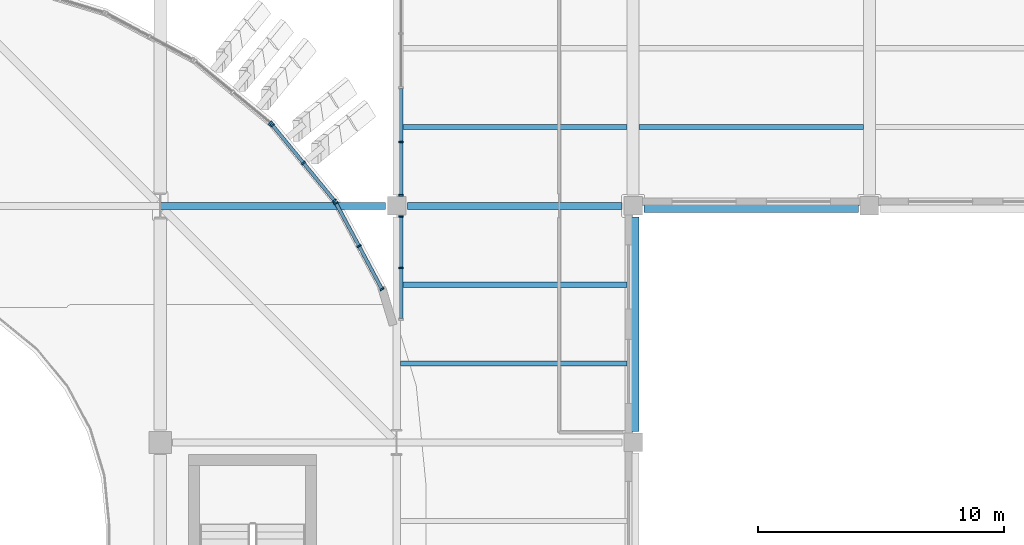
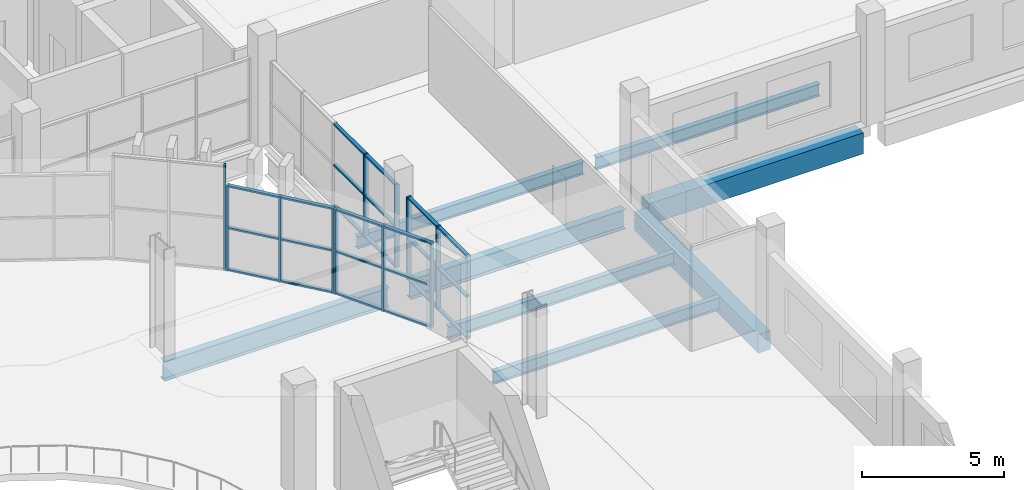
# One storey, part 36 of 100: 35 members, 8 beams, 5 elements without a shape of their own.
"""IFC4 building model written with IfcOpenShell, lengths in metres."""

from ifc_helpers import new_model, si_unit, direction, frame, origin, origin_2d, place, context, subcontext, project, spatial, rectangle, i_section, extrude, material, layer, layer_set, material_profile, profile_set, type_object, element, aggregate, save


model = new_model("IFC4")

# Units and contexts
model_context = context("Model", 3, precision=1e-05, world=origin(), true_north=direction((0.0, 1.0)))
body_context = subcontext(model_context, "Body", "Model", "MODEL_VIEW")
ifc_project = project(units=[si_unit("LENGTHUNIT", "METRE"), si_unit("AREAUNIT", "SQUARE_METRE"), si_unit("VOLUMEUNIT", "CUBIC_METRE"), si_unit("PLANEANGLEUNIT", "RADIAN"), si_unit("MASSUNIT", "GRAM", prefix="KILO")], contexts=[model_context])

# Site, building, storey
site_placement = place(None, origin())
site = spatial("IfcSite", under=ifc_project, at=site_placement, CompositionType="ELEMENT")
building_placement = place(site_placement, origin())
building = spatial("IfcBuilding", under=site, at=building_placement, Name="Caelomonte Colonnade Arena", CompositionType="ELEMENT")
storey_placement = place(building_placement, origin())
storey = spatial("IfcBuildingStorey", under=building, at=storey_placement, Name="L00", CompositionType="ELEMENT", Elevation=0.0)

# Curtain wall, members
ifc_material_1 = material(Name="Bronze anodised aluminium and low-E glazing", Category="aluminium")
ifc_layer_1 = layer(ifc_material_1, 0.179931640625)
ifc_layer_set_1 = layer_set([ifc_layer_1], Name="Bronze anodised aluminium and low-E glazing")
curtain_wall_type_1 = type_object("IfcCurtainWallType", Name="ENV-CW-CW-L00-89-36", PredefinedType="USERDEFINED", material=ifc_layer_set_1)
curtain_wall_1_placement = place(storey_placement, origin())
curtain_wall_1 = element("IfcCurtainWall", 1, at=curtain_wall_1_placement, inside=storey, type_object=curtain_wall_type_1, Name="L00 unitized curtain wall CW-L00-1634-1104", ObjectType="UNITIZED CURTAIN WALL", PredefinedType="USERDEFINED")
ifc_material_2 = material(Name="Bronze anodised aluminium AA6063-T6", Category="aluminium")
ifc_material_profile_1 = material_profile(ifc_material_2, rectangle(XDim=0.070068359375, YDim=0.179931640625, at=origin_2d()), Name="CWM-70X180")
ifc_profile_set_1 = profile_set([ifc_material_profile_1], Name="Bronze anodised aluminium AA6063-T6")
member_type_1 = type_object("IfcMemberType", Name="ENV-CW-MULL1", PredefinedType="MULLION", material=ifc_profile_set_1)
member_1_placement = place(storey_placement, frame((163.3798828125, 108.197509765625, 0.0), z_axis=(0.0, 0.0, 1.0), x_axis=(0.0, -1.0, 0.0)))
member_1 = element("IfcMember", 2, at=member_1_placement, type_object=member_type_1, Name="CW-L00-89-36 mullion 4", PredefinedType="MULLION", context=body_context, shape_type="SweptSolid", body=[
    extrude(rectangle(XDim=0.070068359375, YDim=0.179931640625, at=origin_2d()), origin(), (0.0, 0.0, 1.0), 3.572998046875),
])
member_2_placement = place(storey_placement, frame((163.3798828125, 106.030029296875, 0.0), z_axis=(0.0, 0.0, 1.0), x_axis=(0.0, -1.0, 0.0)))
member_2 = element("IfcMember", 3, at=member_2_placement, type_object=member_type_1, Name="CW-L00-89-36 mullion 5", PredefinedType="MULLION", context=body_context, shape_type="SweptSolid", body=[
    extrude(rectangle(XDim=0.070068359375, YDim=0.179931640625, at=origin_2d()), origin(), (0.0, 0.0, 1.0), 3.572998046875),
])

ifc_layer_2 = layer(ifc_material_1, 0.179931640625)
ifc_layer_set_2 = layer_set([ifc_layer_2], Name="Bronze anodised aluminium and low-E glazing")
curtain_wall_type_2 = type_object("IfcCurtainWallType", Name="ENV-CW-CW-L00-44-36", PredefinedType="USERDEFINED", material=ifc_layer_set_2)
curtain_wall_2_placement = place(storey_placement, origin())
curtain_wall_2 = element("IfcCurtainWall", 4, at=curtain_wall_2_placement, inside=storey, type_object=curtain_wall_type_2, Name="L00 unitized curtain wall CW-L00-1634-1030", ObjectType="UNITIZED CURTAIN WALL", PredefinedType="USERDEFINED")
member_3_placement = place(storey_placement, frame((163.3798828125, 105.169921875, 0.0), z_axis=(0.0, 0.0, 1.0), x_axis=(0.0, -1.0, 0.0)))
member_3 = element("IfcMember", 5, at=member_3_placement, type_object=member_type_1, Name="CW-L00-44-36 mullion 1", PredefinedType="MULLION", context=body_context, shape_type="SweptSolid", body=[
    extrude(rectangle(XDim=0.070068359375, YDim=0.179931640625, at=origin_2d()), origin(), (0.0, 0.0, 1.0), 3.572998046875),
])
member_4_placement = place(storey_placement, frame((163.3798828125, 103.084716796875, 0.0), z_axis=(0.0, 0.0, 1.0), x_axis=(0.0, -1.0, 0.0)))
member_4 = element("IfcMember", 6, at=member_4_placement, type_object=member_type_1, Name="CW-L00-44-36 mullion 2", PredefinedType="MULLION", context=body_context, shape_type="SweptSolid", body=[
    extrude(rectangle(XDim=0.070068359375, YDim=0.179931640625, at=origin_2d()), origin(), (0.0, 0.0, 1.0), 3.572998046875),
])

ifc_layer_3 = layer(ifc_material_1, 0.179931640625)
ifc_layer_set_3 = layer_set([ifc_layer_3], Name="Bronze anodised aluminium and low-E glazing")
curtain_wall_type_3 = type_object("IfcCurtainWallType", Name="ENV-CW-CW-L00-44-37", PredefinedType="USERDEFINED", material=ifc_layer_set_3)
curtain_wall_3_placement = place(storey_placement, origin())
curtain_wall_3 = element("IfcCurtainWall", 7, at=curtain_wall_3_placement, inside=storey, type_object=curtain_wall_type_3, Name="L00 unitized curtain wall CW-L00-1617-1040", ObjectType="UNITIZED CURTAIN WALL", PredefinedType="USERDEFINED")
member_5_placement = place(storey_placement, frame((162.607421875, 102.2177734375, 0.0), z_axis=(0.0, 0.0, 1.0), x_axis=(-0.471394212466, 0.881922613642, 0.0)))
member_5 = element("IfcMember", 8, at=member_5_placement, type_object=member_type_1, Name="CW-L00-44-37 mullion 1", PredefinedType="MULLION", context=body_context, shape_type="SweptSolid", body=[
    extrude(rectangle(XDim=0.070068359375, YDim=0.179931640625, at=origin_2d()), origin(), (0.0, 0.0, 1.0), 3.664306640625),
])
member_6_placement = place(storey_placement, frame((161.67236328125, 103.966796875, 0.0), z_axis=(0.0, 0.0, 1.0), x_axis=(-0.471394212466, 0.881922613642, 0.0)))
member_6 = element("IfcMember", 9, at=member_6_placement, type_object=member_type_1, Name="CW-L00-44-37 mullion 2", PredefinedType="MULLION", context=body_context, shape_type="SweptSolid", body=[
    extrude(rectangle(XDim=0.070068359375, YDim=0.179931640625, at=origin_2d()), origin(), (0.0, 0.0, 1.0), 3.664306640625),
])
member_7_placement = place(storey_placement, frame((160.737548828125, 105.716064453125, 0.0), z_axis=(0.0, 0.0, 1.0), x_axis=(-0.471394212466, 0.881922613642, 0.0)))
member_7 = element("IfcMember", 10, at=member_7_placement, type_object=member_type_1, Name="CW-L00-44-37 mullion 3", PredefinedType="MULLION", context=body_context, shape_type="SweptSolid", body=[
    extrude(rectangle(XDim=0.070068359375, YDim=0.179931640625, at=origin_2d()), origin(), (0.0, 0.0, 1.0), 3.664306640625),
])

curtain_wall_4_placement = place(storey_placement, origin())
curtain_wall_4 = element("IfcCurtainWall", 11, at=curtain_wall_4_placement, inside=storey, type_object=curtain_wall_type_3, Name="L00 unitized curtain wall CW-L00-1594-1073", ObjectType="UNITIZED CURTAIN WALL", PredefinedType="USERDEFINED")
member_8_placement = place(storey_placement, frame((160.67431640625, 105.810791015625, 0.0), z_axis=(0.0, 0.0, 1.0), x_axis=(-0.634416071163, 0.772991751994, 0.0)))
member_8 = element("IfcMember", 12, at=member_8_placement, type_object=member_type_1, Name="CW-L00-44-37 mullion 1", PredefinedType="MULLION", context=body_context, shape_type="SweptSolid", body=[
    extrude(rectangle(XDim=0.070068359375, YDim=0.179931640625, at=origin_2d()), origin(), (0.0, 0.0, 1.0), 3.664306640625),
])
member_9_placement = place(storey_placement, frame((159.416015625, 107.343994140625, 0.0), z_axis=(0.0, 0.0, 1.0), x_axis=(-0.634416071163, 0.772991751994, 0.0)))
member_9 = element("IfcMember", 13, at=member_9_placement, type_object=member_type_1, Name="CW-L00-44-37 mullion 2", PredefinedType="MULLION", context=body_context, shape_type="SweptSolid", body=[
    extrude(rectangle(XDim=0.070068359375, YDim=0.179931640625, at=origin_2d()), origin(), (0.0, 0.0, 1.0), 3.664306640625),
])
member_10_placement = place(storey_placement, frame((158.15771484375, 108.876953125, 0.0), z_axis=(0.0, 0.0, 1.0), x_axis=(-0.634416071163, 0.772991751994, 0.0)))
member_10 = element("IfcMember", 14, at=member_10_placement, type_object=member_type_1, Name="CW-L00-44-37 mullion 3", PredefinedType="MULLION", context=body_context, shape_type="SweptSolid", body=[
    extrude(rectangle(XDim=0.070068359375, YDim=0.179931640625, at=origin_2d()), origin(), (0.0, 0.0, 1.0), 3.664306640625),
])

# Curtain wall, member
ifc_layer_4 = layer(ifc_material_1, 0.179931640625)
ifc_layer_set_4 = layer_set([ifc_layer_4], Name="Bronze anodised aluminium and low-E glazing")
curtain_wall_type_4 = type_object("IfcCurtainWallType", Name="ENV-CW-CW-L00-44-45", PredefinedType="USERDEFINED", material=ifc_layer_set_4)
curtain_wall_5_placement = place(storey_placement, origin())
curtain_wall_5 = element("IfcCurtainWall", 15, at=curtain_wall_5_placement, inside=storey, type_object=curtain_wall_type_4, Name="L00 unitized curtain wall CW-L00-1565-1102", ObjectType="UNITIZED CURTAIN WALL", PredefinedType="USERDEFINED")
member_11_placement = place(storey_placement, frame((158.0771484375, 108.95751953125, 0.0), z_axis=(0.0, 0.0, 1.0), x_axis=(-0.772991751994, 0.634416071163, 0.0)))
member_11 = element("IfcMember", 16, at=member_11_placement, type_object=member_type_1, Name="CW-L00-44-45 mullion 1", PredefinedType="MULLION", context=body_context, shape_type="SweptSolid", body=[
    extrude(rectangle(XDim=0.070068359375, YDim=0.179931640625, at=origin_2d()), origin(), (0.0, 0.0, 1.0), 4.5),
])
aggregate(curtain_wall_5, [member_11])

# Member
ifc_material_profile_2 = material_profile(ifc_material_2, rectangle(XDim=0.070068359375, YDim=0.139892578125, at=origin_2d()), Name="CWT-70X140")
ifc_profile_set_2 = profile_set([ifc_material_profile_2], Name="Bronze anodised aluminium AA6063-T6")
member_type_2 = type_object("IfcMemberType", Name="ENV-CW-TRAN1", PredefinedType="USERDEFINED", material=ifc_profile_set_2)
member_12_placement = place(storey_placement, frame((163.3798828125, 110.364990234375, 0.034912109375), z_axis=(0.0, -1.0, 0.0), x_axis=(0.0, 0.0, 1.0)))
member_12 = element("IfcMember", 17, at=member_12_placement, type_object=member_type_2, Name="CW-L00-89-36 transom 3.1", ObjectType="TRANSOM", PredefinedType="USERDEFINED", context=body_context, shape_type="SweptSolid", body=[
    extrude(rectangle(XDim=0.070068359375, YDim=0.139892578125, at=origin_2d()), origin(), (0.0, 0.0, 1.0), 2.132568359375),
])

member_13_placement = place(storey_placement, frame((163.3798828125, 110.364990234375, 1.78662109375), z_axis=(0.0, -1.0, 0.0), x_axis=(0.0, 0.0, 1.0)))
member_13 = element("IfcMember", 18, at=member_13_placement, type_object=member_type_2, Name="CW-L00-89-36 transom 3.2", ObjectType="TRANSOM", PredefinedType="USERDEFINED", context=body_context, shape_type="SweptSolid", body=[
    extrude(rectangle(XDim=0.070068359375, YDim=0.139892578125, at=origin_2d()), origin(), (0.0, 0.0, 1.0), 2.132568359375),
])

member_14_placement = place(storey_placement, frame((163.3798828125, 110.364990234375, 3.5380859375), z_axis=(0.0, -1.0, 0.0), x_axis=(0.0, 0.0, 1.0)))
member_14 = element("IfcMember", 19, at=member_14_placement, type_object=member_type_2, Name="CW-L00-89-36 transom 3.3", ObjectType="TRANSOM", PredefinedType="USERDEFINED", context=body_context, shape_type="SweptSolid", body=[
    extrude(rectangle(XDim=0.070068359375, YDim=0.139892578125, at=origin_2d()), origin(), (0.0, 0.0, 1.0), 2.132568359375),
])

member_15_placement = place(storey_placement, frame((163.3798828125, 108.16259765625, 0.034912109375), z_axis=(0.0, -1.0, 0.0), x_axis=(0.0, 0.0, 1.0)))
member_15 = element("IfcMember", 20, at=member_15_placement, type_object=member_type_2, Name="CW-L00-89-36 transom 4.1", ObjectType="TRANSOM", PredefinedType="USERDEFINED", context=body_context, shape_type="SweptSolid", body=[
    extrude(rectangle(XDim=0.070068359375, YDim=0.139892578125, at=origin_2d()), origin(), (0.0, 0.0, 1.0), 2.09765625),
])

member_16_placement = place(storey_placement, frame((163.3798828125, 108.16259765625, 1.78662109375), z_axis=(0.0, -1.0, 0.0), x_axis=(0.0, 0.0, 1.0)))
member_16 = element("IfcMember", 21, at=member_16_placement, type_object=member_type_2, Name="CW-L00-89-36 transom 4.2", ObjectType="TRANSOM", PredefinedType="USERDEFINED", context=body_context, shape_type="SweptSolid", body=[
    extrude(rectangle(XDim=0.070068359375, YDim=0.139892578125, at=origin_2d()), origin(), (0.0, 0.0, 1.0), 2.09765625),
])

member_17_placement = place(storey_placement, frame((163.3798828125, 108.16259765625, 3.5380859375), z_axis=(0.0, -1.0, 0.0), x_axis=(0.0, 0.0, 1.0)))
member_17 = element("IfcMember", 22, at=member_17_placement, type_object=member_type_2, Name="CW-L00-89-36 transom 4.3", ObjectType="TRANSOM", PredefinedType="USERDEFINED", context=body_context, shape_type="SweptSolid", body=[
    extrude(rectangle(XDim=0.070068359375, YDim=0.139892578125, at=origin_2d()), origin(), (0.0, 0.0, 1.0), 2.09765625),
])

aggregate(curtain_wall_1, [member_1, member_2, member_12, member_13, member_14, member_15, member_16, member_17])

member_18_placement = place(storey_placement, frame((163.3798828125, 105.135009765625, 0.034912109375), z_axis=(0.0, -1.0, 0.0), x_axis=(0.0, 0.0, 1.0)))
member_18 = element("IfcMember", 23, at=member_18_placement, type_object=member_type_2, Name="CW-L00-44-36 transom 1.1", ObjectType="TRANSOM", PredefinedType="USERDEFINED", context=body_context, shape_type="SweptSolid", body=[
    extrude(rectangle(XDim=0.070068359375, YDim=0.139892578125, at=origin_2d()), origin(), (0.0, 0.0, 1.0), 2.015380859375),
])

member_19_placement = place(storey_placement, frame((163.3798828125, 105.135009765625, 1.78662109375), z_axis=(0.0, -1.0, 0.0), x_axis=(0.0, 0.0, 1.0)))
member_19 = element("IfcMember", 24, at=member_19_placement, type_object=member_type_2, Name="CW-L00-44-36 transom 1.2", ObjectType="TRANSOM", PredefinedType="USERDEFINED", context=body_context, shape_type="SweptSolid", body=[
    extrude(rectangle(XDim=0.070068359375, YDim=0.139892578125, at=origin_2d()), origin(), (0.0, 0.0, 1.0), 2.015380859375),
])

member_20_placement = place(storey_placement, frame((163.3798828125, 105.135009765625, 3.5380859375), z_axis=(0.0, -1.0, 0.0), x_axis=(0.0, 0.0, 1.0)))
member_20 = element("IfcMember", 25, at=member_20_placement, type_object=member_type_2, Name="CW-L00-44-36 transom 1.3", ObjectType="TRANSOM", PredefinedType="USERDEFINED", context=body_context, shape_type="SweptSolid", body=[
    extrude(rectangle(XDim=0.070068359375, YDim=0.139892578125, at=origin_2d()), origin(), (0.0, 0.0, 1.0), 2.015380859375),
])

member_21_placement = place(storey_placement, frame((163.3798828125, 103.0498046875, 0.034912109375), z_axis=(0.0, -1.0, 0.0), x_axis=(0.0, 0.0, 1.0)))
member_21 = element("IfcMember", 26, at=member_21_placement, type_object=member_type_2, Name="CW-L00-44-36 transom 2.1", ObjectType="TRANSOM", PredefinedType="USERDEFINED", context=body_context, shape_type="SweptSolid", body=[
    extrude(rectangle(XDim=0.070068359375, YDim=0.139892578125, at=origin_2d()), origin(), (0.0, 0.0, 1.0), 2.015380859375),
])

member_22_placement = place(storey_placement, frame((163.3798828125, 103.0498046875, 1.78662109375), z_axis=(0.0, -1.0, 0.0), x_axis=(0.0, 0.0, 1.0)))
member_22 = element("IfcMember", 27, at=member_22_placement, type_object=member_type_2, Name="CW-L00-44-36 transom 2.2", ObjectType="TRANSOM", PredefinedType="USERDEFINED", context=body_context, shape_type="SweptSolid", body=[
    extrude(rectangle(XDim=0.070068359375, YDim=0.139892578125, at=origin_2d()), origin(), (0.0, 0.0, 1.0), 2.015380859375),
])

member_23_placement = place(storey_placement, frame((163.3798828125, 103.0498046875, 3.5380859375), z_axis=(0.0, -1.0, 0.0), x_axis=(0.0, 0.0, 1.0)))
member_23 = element("IfcMember", 28, at=member_23_placement, type_object=member_type_2, Name="CW-L00-44-36 transom 2.3", ObjectType="TRANSOM", PredefinedType="USERDEFINED", context=body_context, shape_type="SweptSolid", body=[
    extrude(rectangle(XDim=0.070068359375, YDim=0.139892578125, at=origin_2d()), origin(), (0.0, 0.0, 1.0), 2.015380859375),
])

aggregate(curtain_wall_2, [member_3, member_4, member_18, member_19, member_20, member_21, member_22, member_23])

member_24_placement = place(storey_placement, frame((162.5908203125, 102.24853515625, 0.034912109375), z_axis=(-0.471343048304, 0.88194995936, 0.0), x_axis=(0.0, 0.0, 1.0)))
member_24 = element("IfcMember", 29, at=member_24_placement, type_object=member_type_2, Name="CW-L00-44-37 transom 1.1", ObjectType="TRANSOM", PredefinedType="USERDEFINED", context=body_context, shape_type="SweptSolid", body=[
    extrude(rectangle(XDim=0.070068359375, YDim=0.139892578125, at=origin_2d()), origin(), (0.0, 0.0, 1.0), 1.913330078125),
])

member_25_placement = place(storey_placement, frame((162.5908203125, 102.24853515625, 1.832275390625), z_axis=(-0.471343048304, 0.88194995936, 0.0), x_axis=(0.0, 0.0, 1.0)))
member_25 = element("IfcMember", 30, at=member_25_placement, type_object=member_type_2, Name="CW-L00-44-37 transom 1.2", ObjectType="TRANSOM", PredefinedType="USERDEFINED", context=body_context, shape_type="SweptSolid", body=[
    extrude(rectangle(XDim=0.070068359375, YDim=0.139892578125, at=origin_2d()), origin(), (0.0, 0.0, 1.0), 1.913330078125),
])

member_26_placement = place(storey_placement, frame((162.5908203125, 102.24853515625, 3.62939453125), z_axis=(-0.471343048304, 0.88194995936, 0.0), x_axis=(0.0, 0.0, 1.0)))
member_26 = element("IfcMember", 31, at=member_26_placement, type_object=member_type_2, Name="CW-L00-44-37 transom 1.3", ObjectType="TRANSOM", PredefinedType="USERDEFINED", context=body_context, shape_type="SweptSolid", body=[
    extrude(rectangle(XDim=0.070068359375, YDim=0.139892578125, at=origin_2d()), origin(), (0.0, 0.0, 1.0), 1.913330078125),
])

member_27_placement = place(storey_placement, frame((161.656005859375, 103.997802734375, 0.034912109375), z_axis=(-0.47149534087, 0.881868552301, 0.0), x_axis=(0.0, 0.0, 1.0)))
member_27 = element("IfcMember", 32, at=member_27_placement, type_object=member_type_2, Name="CW-L00-44-37 transom 2.1", ObjectType="TRANSOM", PredefinedType="USERDEFINED", context=body_context, shape_type="SweptSolid", body=[
    extrude(rectangle(XDim=0.070068359375, YDim=0.139892578125, at=origin_2d()), origin(), (0.0, 0.0, 1.0), 1.913330078125),
])

member_28_placement = place(storey_placement, frame((161.656005859375, 103.997802734375, 1.832275390625), z_axis=(-0.47149534087, 0.881868552301, 0.0), x_axis=(0.0, 0.0, 1.0)))
member_28 = element("IfcMember", 33, at=member_28_placement, type_object=member_type_2, Name="CW-L00-44-37 transom 2.2", ObjectType="TRANSOM", PredefinedType="USERDEFINED", context=body_context, shape_type="SweptSolid", body=[
    extrude(rectangle(XDim=0.070068359375, YDim=0.139892578125, at=origin_2d()), origin(), (0.0, 0.0, 1.0), 1.913330078125),
])

member_29_placement = place(storey_placement, frame((161.656005859375, 103.997802734375, 3.62939453125), z_axis=(-0.47149534087, 0.881868552301, 0.0), x_axis=(0.0, 0.0, 1.0)))
member_29 = element("IfcMember", 34, at=member_29_placement, type_object=member_type_2, Name="CW-L00-44-37 transom 2.3", ObjectType="TRANSOM", PredefinedType="USERDEFINED", context=body_context, shape_type="SweptSolid", body=[
    extrude(rectangle(XDim=0.070068359375, YDim=0.139892578125, at=origin_2d()), origin(), (0.0, 0.0, 1.0), 1.913330078125),
])

aggregate(curtain_wall_3, [member_5, member_6, member_7, member_24, member_25, member_26, member_27, member_28, member_29])

member_30_placement = place(storey_placement, frame((160.652099609375, 105.837890625, 0.034912109375), z_axis=(-0.634494516049, 0.772927363407, 0.0), x_axis=(0.0, 0.0, 1.0)))
member_30 = element("IfcMember", 35, at=member_30_placement, type_object=member_type_2, Name="CW-L00-44-37 transom 1.1", ObjectType="TRANSOM", PredefinedType="USERDEFINED", context=body_context, shape_type="SweptSolid", body=[
    extrude(rectangle(XDim=0.070068359375, YDim=0.139892578125, at=origin_2d()), origin(), (0.0, 0.0, 1.0), 1.91357421875),
])

member_31_placement = place(storey_placement, frame((160.652099609375, 105.837890625, 1.832275390625), z_axis=(-0.634494516049, 0.772927363407, 0.0), x_axis=(0.0, 0.0, 1.0)))
member_31 = element("IfcMember", 36, at=member_31_placement, type_object=member_type_2, Name="CW-L00-44-37 transom 1.2", ObjectType="TRANSOM", PredefinedType="USERDEFINED", context=body_context, shape_type="SweptSolid", body=[
    extrude(rectangle(XDim=0.070068359375, YDim=0.139892578125, at=origin_2d()), origin(), (0.0, 0.0, 1.0), 1.91357421875),
])

member_32_placement = place(storey_placement, frame((160.652099609375, 105.837890625, 3.62939453125), z_axis=(-0.634494516049, 0.772927363407, 0.0), x_axis=(0.0, 0.0, 1.0)))
member_32 = element("IfcMember", 37, at=member_32_placement, type_object=member_type_2, Name="CW-L00-44-37 transom 1.3", ObjectType="TRANSOM", PredefinedType="USERDEFINED", context=body_context, shape_type="SweptSolid", body=[
    extrude(rectangle(XDim=0.070068359375, YDim=0.139892578125, at=origin_2d()), origin(), (0.0, 0.0, 1.0), 1.91357421875),
])

member_33_placement = place(storey_placement, frame((159.393798828125, 107.370849609375, 0.034912109375), z_axis=(-0.634431948726, 0.772978720558, 0.0), x_axis=(0.0, 0.0, 1.0)))
member_33 = element("IfcMember", 38, at=member_33_placement, type_object=member_type_2, Name="CW-L00-44-37 transom 2.1", ObjectType="TRANSOM", PredefinedType="USERDEFINED", context=body_context, shape_type="SweptSolid", body=[
    extrude(rectangle(XDim=0.070068359375, YDim=0.139892578125, at=origin_2d()), origin(), (0.0, 0.0, 1.0), 1.913818359375),
])

member_34_placement = place(storey_placement, frame((159.393798828125, 107.370849609375, 1.832275390625), z_axis=(-0.634431948726, 0.772978720558, 0.0), x_axis=(0.0, 0.0, 1.0)))
member_34 = element("IfcMember", 39, at=member_34_placement, type_object=member_type_2, Name="CW-L00-44-37 transom 2.2", ObjectType="TRANSOM", PredefinedType="USERDEFINED", context=body_context, shape_type="SweptSolid", body=[
    extrude(rectangle(XDim=0.070068359375, YDim=0.139892578125, at=origin_2d()), origin(), (0.0, 0.0, 1.0), 1.913818359375),
])

member_35_placement = place(storey_placement, frame((159.393798828125, 107.370849609375, 3.62939453125), z_axis=(-0.634431948726, 0.772978720558, 0.0), x_axis=(0.0, 0.0, 1.0)))
member_35 = element("IfcMember", 40, at=member_35_placement, type_object=member_type_2, Name="CW-L00-44-37 transom 2.3", ObjectType="TRANSOM", PredefinedType="USERDEFINED", context=body_context, shape_type="SweptSolid", body=[
    extrude(rectangle(XDim=0.070068359375, YDim=0.139892578125, at=origin_2d()), origin(), (0.0, 0.0, 1.0), 1.913818359375),
])

aggregate(curtain_wall_4, [member_8, member_9, member_10, member_30, member_31, member_32, member_33, member_34, member_35])

# Beams
ifc_material_3 = material(Name="Wide-flange steel ASTM A992 Grade 50", Category="steel")
ifc_material_profile_3 = material_profile(ifc_material_3, i_section(OverallWidth=0.2919921875, OverallDepth=0.845703125, WebThickness=0.015380859375, FlangeThickness=0.0244140625, FilletRadius=0.017822265625, at=origin_2d()), Name="W33X141")
ifc_profile_set_3 = profile_set([ifc_material_profile_3], Name="Wide-flange steel ASTM A992 Grade 50")
beam_type_1 = type_object("IfcBeamType", Name="STR-BM-GIRD33", PredefinedType="BEAM", material=ifc_profile_set_3)
beam_1_placement = place(storey_placement, frame((153.615478515625, 105.60009765625, -0.722900390625), z_axis=(1.0, 0.0, 0.0), x_axis=(0.0, 1.0, 0.0)))
element("IfcBeam", 41, at=beam_1_placement, inside=storey, type_object=beam_type_1, Name="L00 girder BMX-L00-1536-1056", PredefinedType="BEAM", context=body_context, shape_type="SweptSolid", body=[
    extrude(i_section(OverallWidth=0.2919921875, OverallDepth=0.845703125, WebThickness=0.015380859375, FlangeThickness=0.0244140625, FilletRadius=0.017822265625, at=origin_2d()), origin(), (0.0, 0.0, 1.0), 9.142578125),
])
beam_2_placement = place(storey_placement, frame((163.64208984375, 105.60009765625, -0.722900390625), z_axis=(1.0, 0.0, 0.0), x_axis=(0.0, 1.0, 0.0)))
element("IfcBeam", 42, at=beam_2_placement, inside=storey, type_object=beam_type_1, Name="L00 girder BMX-L00-1632-1056", PredefinedType="BEAM", context=body_context, shape_type="SweptSolid", body=[
    extrude(i_section(OverallWidth=0.2919921875, OverallDepth=0.845703125, WebThickness=0.015380859375, FlangeThickness=0.0244140625, FilletRadius=0.017822265625, at=origin_2d()), origin(), (0.0, 0.0, 1.0), 8.7158203125),
])
ifc_material_profile_4 = material_profile(ifc_material_3, i_section(OverallWidth=0.209228515625, OverallDepth=0.533447265625, WebThickness=0.01025390625, FlangeThickness=0.015625, FilletRadius=0.0126953125, at=origin_2d()), Name="W21X62")
ifc_profile_set_4 = profile_set([ifc_material_profile_4], Name="Wide-flange steel ASTM A992 Grade 50")
beam_type_2 = type_object("IfcBeamType", Name="STR-BM-JOIST21", PredefinedType="JOIST", material=ifc_profile_set_4)
for number, where, z_axis, x_axis, name in (
    (43, (163.348876953125, 99.199951171875, -0.566650390625), (1.0, 0.0, 0.0), (0.0, 1.0, 0.0), "L00 secondary joist 1"),
    (44, (163.348876953125, 102.39990234375, -0.566650390625), (1.0, 0.0, 0.0), (0.0, 1.0, 0.0), "L00 secondary joist 2"),
    (45, (163.348876953125, 108.800048828125, -0.566650390625), (1.0, 0.0, 0.0), (0.0, 1.0, 0.0), "L00 secondary joist 1"),
):
    element("IfcBeam", number, at=place(storey_placement, frame(where, z_axis=z_axis, x_axis=x_axis)), inside=storey, type_object=beam_type_2, Name=name, PredefinedType="JOIST", context=body_context, shape_type="SweptSolid", body=[
        extrude(i_section(OverallWidth=0.209228515625, OverallDepth=0.533447265625, WebThickness=0.01025390625, FlangeThickness=0.015625, FilletRadius=0.0126953125, at=origin_2d()), origin(), (0.0, 0.0, 1.0), 9.2060546875),
    ])
beam_3_placement = place(storey_placement, frame((173.044921875, 108.800048828125, -0.566650390625), z_axis=(1.0, 0.0, 0.0), x_axis=(0.0, 1.0, 0.0)))
element("IfcBeam", 46, at=beam_3_placement, inside=storey, type_object=beam_type_2, Name="L00 secondary joist 1", PredefinedType="JOIST", context=body_context, shape_type="SweptSolid", body=[
    extrude(i_section(OverallWidth=0.209228515625, OverallDepth=0.533447265625, WebThickness=0.01025390625, FlangeThickness=0.015625, FilletRadius=0.0126953125, at=origin_2d()), origin(), (0.0, 0.0, 1.0), 9.110107421875),
])
ifc_material_4 = material(Name="Concrete C40/50", Category="concrete")
ifc_material_profile_5 = material_profile(ifc_material_4, rectangle(XDim=0.5, YDim=0.800048828125, at=origin_2d()), Name="RC500X800")
ifc_profile_set_5 = profile_set([ifc_material_profile_5], Name="Concrete C40/50")
beam_type_3 = type_object("IfcBeamType", Name="STR-BM-RC50", PredefinedType="BEAM", material=ifc_profile_set_5)
beam_4_placement = place(storey_placement, frame((172.800048828125, 96.44189453125, -0.699951171875), z_axis=(0.0, 1.0, 0.0), x_axis=(-1.0, 0.0, 0.0)))
element("IfcBeam", 47, at=beam_4_placement, inside=storey, type_object=beam_type_3, Name="L00 girder BMY-L00-1728-0960", PredefinedType="BEAM", context=body_context, shape_type="SweptSolid", body=[
    extrude(rectangle(XDim=0.5, YDim=0.800048828125, at=origin_2d()), origin(), (0.0, 0.0, 1.0), 8.716064453125),
])
ifc_material_profile_6 = material_profile(ifc_material_4, rectangle(XDim=0.550048828125, YDim=0.89990234375, at=origin_2d()), Name="RC550X900")
ifc_profile_set_6 = profile_set([ifc_material_profile_6], Name="Concrete C40/50")
beam_type_4 = type_object("IfcBeamType", Name="STR-BM-RC55", PredefinedType="BEAM", material=ifc_profile_set_6)
beam_5_placement = place(storey_placement, frame((173.241943359375, 105.60009765625, -0.75), z_axis=(1.0, 0.0, 0.0), x_axis=(0.0, 1.0, 0.0)))
element("IfcBeam", 48, at=beam_5_placement, inside=storey, type_object=beam_type_4, Name="L00 girder BMX-L00-1728-1056", PredefinedType="BEAM", context=body_context, shape_type="SweptSolid", body=[
    extrude(rectangle(XDim=0.550048828125, YDim=0.89990234375, at=origin_2d()), origin(), (0.0, 0.0, 1.0), 8.716064453125),
])

save(model, "model.ifc")
